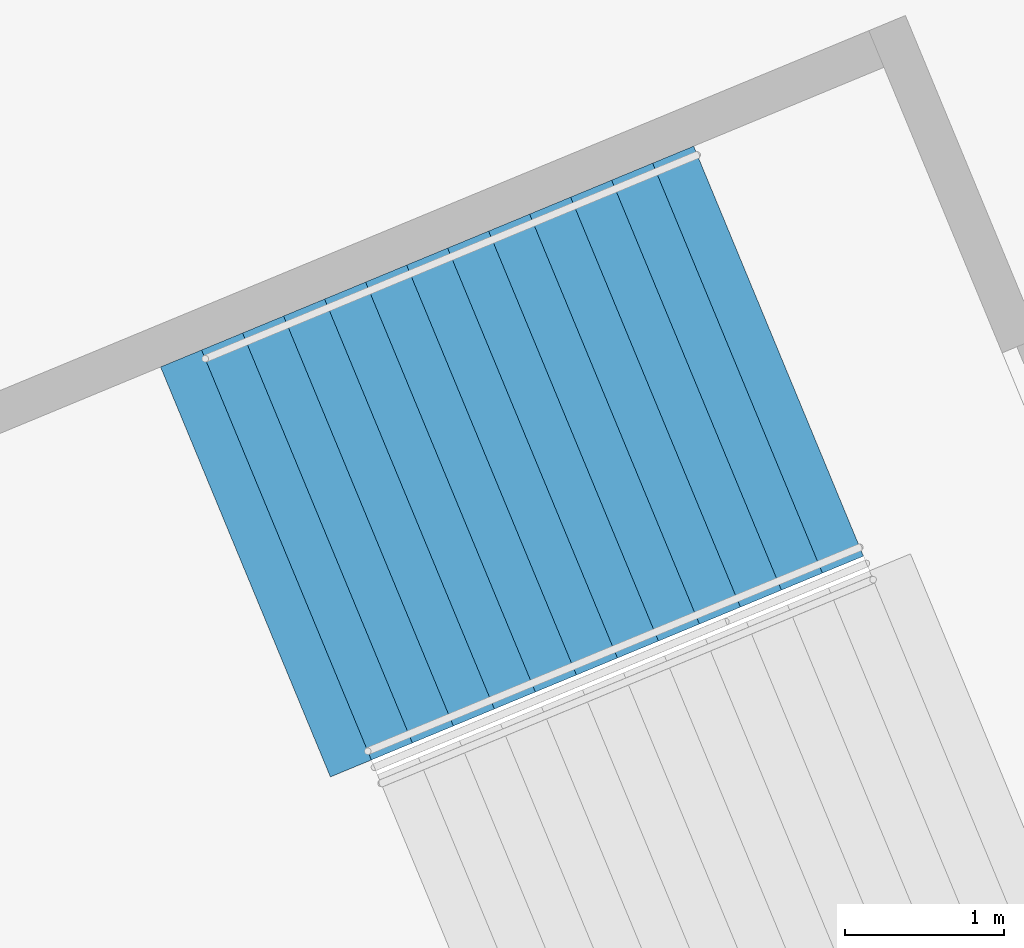
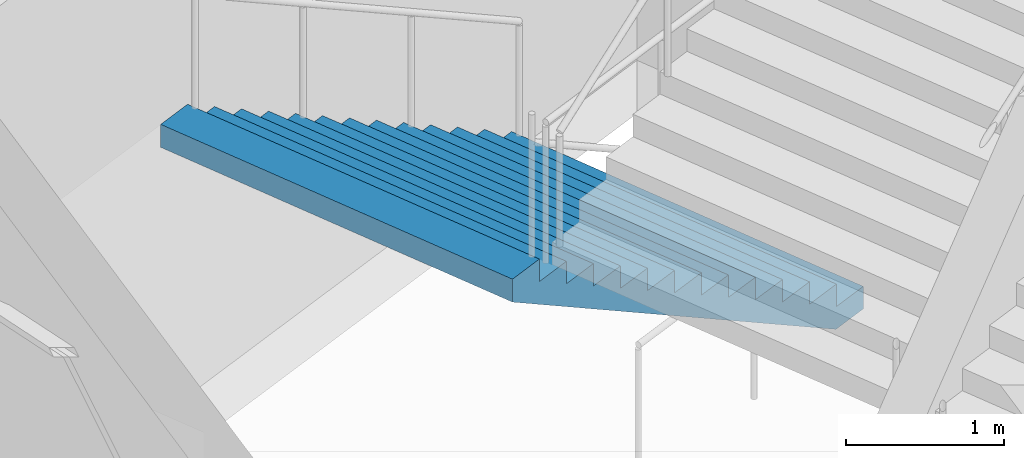
# One storey, part 137 of 249: 1 stair flight, 1 element without a shape of its own.
"""IFC4 building model written with IfcOpenShell, lengths in metres."""

import ifcopenshell
import ifcopenshell.guid

model = None  # the IFC model being written
_history = None  # IfcOwnerHistory: only IFC2X3 demands one
_inside = {}  # id of a spatial element -> (the spatial element, [elements in it])
_under = {}  # id of a project, library or spatial element -> (it, [spatial elements below it])
_declared = {}  # id of a project -> (the project, [libraries it declares])
_typed = {}  # id of a type object -> (the type object, [elements of that type])
_made_of = {}  # id of a material, layer set ... -> (it, [elements and type objects made of it])


def new_model(schema):
    """Start an empty IFC model of exactly this schema.

    Asked for "IFC4X3", IfcOpenShell would pick the latest addendum, in which some entities
    have other attributes; the version numbers below select the first issue.
    IFC2X3 requires an IfcOwnerHistory on every rooted entity: one is made here for all.
    """
    global model, _history
    if schema == "IFC4X3":
        model = ifcopenshell.file(schema_version=(4, 3, 0, 0))
    else:
        model = ifcopenshell.file(schema=schema)
    _inside.clear()
    _under.clear()
    _declared.clear()
    _typed.clear()
    _made_of.clear()
    _history = None
    if model.schema == "IFC2X3":
        org = make("IfcOrganization", Name="unknown")
        user = make(
            "IfcPersonAndOrganization",
            ThePerson=make("IfcPerson", FamilyName="unknown"),
            TheOrganization=org,
        )
        app = make(
            "IfcApplication",
            ApplicationDeveloper=org,
            Version="unknown",
            ApplicationFullName="unknown",
            ApplicationIdentifier="unknown",
        )
        _history = make(
            "IfcOwnerHistory",
            OwningUser=user,
            OwningApplication=app,
            ChangeAction="ADDED",
            CreationDate=0,
        )
    return model


def make(cls, **values):
    """One entity of the class cls with the attributes given. An attribute that is None is left unset."""
    return model.create_entity(
        cls, **{name: value for name, value in values.items() if value is not None}
    )


def rooted(cls, **values):
    """An entity with a GlobalId (a new one), such as an element, a storey or a relation."""
    return make(cls, GlobalId=ifcopenshell.guid.new(), OwnerHistory=_history, **values)


def si_unit(unit_type, name, prefix=None):
    """IfcSIUnit, for example si_unit("LENGTHUNIT", "METRE", prefix="MILLI")."""
    return make("IfcSIUnit", UnitType=unit_type, Prefix=prefix, Name=name)


def assignment(units):
    """IfcUnitAssignment: the units of a project."""
    return None if units is None else make("IfcUnitAssignment", Units=units)


def point(xyz):
    """IfcCartesianPoint."""
    return None if xyz is None else make("IfcCartesianPoint", Coordinates=xyz)


def direction(xyz):
    """IfcDirection."""
    return None if xyz is None else make("IfcDirection", DirectionRatios=xyz)


def frame(location, z_axis=None, x_axis=None):
    """IfcAxis2Placement3D, a coordinate frame: its origin and axes. An axis left out is left unset."""
    return make(
        "IfcAxis2Placement3D",
        Location=point(location),
        Axis=direction(z_axis),
        RefDirection=direction(x_axis),
    )


def origin():
    """The frame at (0, 0, 0) with its axes left unset."""
    return frame((0.0, 0.0, 0.0))


def place(relative_to, where):
    """IfcLocalPlacement: puts the frame where relative to a parent placement (None: the world)."""
    return make(
        "IfcLocalPlacement", PlacementRelTo=relative_to, RelativePlacement=where
    )


def context(
    kind, dimensions, precision=None, world=None, true_north=None, identifier=None
):
    """IfcGeometricRepresentationContext, for example the 3D "Model" context."""
    return make(
        "IfcGeometricRepresentationContext",
        ContextIdentifier=identifier,
        ContextType=kind,
        CoordinateSpaceDimension=dimensions,
        Precision=precision,
        WorldCoordinateSystem=world,
        TrueNorth=true_north,
    )


def subcontext(parent, identifier, kind, view, scale=None):
    """IfcGeometricRepresentationSubContext, for example "Body" below "Model"."""
    return make(
        "IfcGeometricRepresentationSubContext",
        ContextIdentifier=identifier,
        ContextType=kind,
        ParentContext=parent,
        TargetScale=scale,
        TargetView=view,
    )


def project(units=None, contexts=None):
    """IfcProject with its units and contexts."""
    return rooted(
        "IfcProject",
        Name="project",
        RepresentationContexts=contexts,
        UnitsInContext=assignment(units),
    )


def spatial(cls, under=None, at=None, **own):
    """A site, building, storey or space (cls), placed at a placement, below another one or the project."""
    s = rooted(cls, ObjectPlacement=at, **own)
    if under is not None:
        _under.setdefault(under.id(), (under, []))[1].append(s)
    return s


def faces_of(points, faces, orient=None, outer=None):
    """IfcFace entities. A face is a list of loops; a loop is a list of indices into points, from 0.

    orient and outer hold one flag for each loop. By default every Orientation is true, the
    first loop of a face is its IfcFaceOuterBound and the others are IfcFaceBound.
    """
    made = []
    for i, loops in enumerate(faces):
        bounds = []
        for j, loop in enumerate(loops):
            is_outer = j == 0 if outer is None else outer[i][j]
            bounds.append(
                make(
                    "IfcFaceOuterBound" if is_outer else "IfcFaceBound",
                    Bound=make("IfcPolyLoop", Polygon=[points[k] for k in loop]),
                    Orientation=True if orient is None else orient[i][j],
                )
            )
        made.append(make("IfcFace", Bounds=bounds))
    return made


def faceted_brep(points, faces, orient=None, outer=None, voids=None):
    """IfcFacetedBrep: a solid bounded by flat faces; with voids (closed shells), ...WithVoids."""
    shared = [point(p) for p in points]
    hull = make("IfcClosedShell", CfsFaces=faces_of(shared, faces, orient, outer))
    if voids is None:
        return make("IfcFacetedBrep", Outer=hull)
    return make(
        "IfcFacetedBrepWithVoids",
        Outer=hull,
        Voids=[
            make(cls, CfsFaces=faces_of(shared, fs, o, b)) for cls, fs, o, b in voids
        ],
    )


def shape(context_of_items, identifier, shape_type, items):
    """IfcShapeRepresentation: the items that make up one representation, for example the "Body"."""
    return make(
        "IfcShapeRepresentation",
        ContextOfItems=context_of_items,
        RepresentationIdentifier=identifier,
        RepresentationType=shape_type,
        Items=items,
    )


def material(Name=None, Category=None):
    """IfcMaterial."""
    return make("IfcMaterial", Name=Name, Category=Category)


def made_of(thing, what):
    """Note that an element or type object is made of a material, layer set ...; save() writes the relation."""
    if what is not None:
        _made_of.setdefault(what.id(), (what, []))[1].append(thing)
    return thing


def type_object(cls, material=None, **own):
    """A type object (cls), such as IfcWallType, which elements share."""
    return made_of(rooted(cls, **own), material)


def element(
    cls,
    number,
    at=None,
    inside=None,
    cuts=None,
    type_object=None,
    material=None,
    context=None,
    identifier="Body",
    shape_type=None,
    held_by="IfcProductDefinitionShape",
    body=None,
    shapes=None,
    **own,
):
    """One element of the class cls, such as IfcWall. Its Tag is "e" and its number.

    at: its placement. inside: the storey or other place that contains it. cuts: it is an
    opening in that element (IfcRelVoidsElement). A single representation is given by context,
    identifier, shape_type and body (its items); several are given by shapes. held_by: the class
    of the entity that holds the representations. save() writes the other relations.
    """
    e = rooted(cls, Tag="e%d" % number, ObjectPlacement=at, **own)
    if body is not None:
        shapes = [shape(context, identifier, shape_type, body)]
    if shapes is not None:
        e.Representation = make(held_by, Representations=shapes)
    if inside is not None:
        _inside.setdefault(inside.id(), (inside, []))[1].append(e)
    if cuts is not None:
        rooted(
            "IfcRelVoidsElement", RelatingBuildingElement=cuts, RelatedOpeningElement=e
        )
    if type_object is not None:
        _typed.setdefault(type_object.id(), (type_object, []))[1].append(e)
    return made_of(e, material)


def aggregate(whole, parts):
    """IfcRelAggregates: a whole, such as a stair, and the parts it consists of."""
    return rooted("IfcRelAggregates", RelatingObject=whole, RelatedObjects=parts)


def save(model, path):
    """Write the relations noted so far, then the file.

    IfcRelAggregates (storeys below a building ...), IfcRelContainedInSpatialStructure (elements
    in a storey), IfcRelDefinesByType, IfcRelAssociatesMaterial and IfcRelDeclares: one each for
    every whole, place, type object, material and project.
    """
    for whole, parts in _under.values():
        aggregate(whole, parts)
    for where, things in _inside.values():
        rooted(
            "IfcRelContainedInSpatialStructure",
            RelatedElements=things,
            RelatingStructure=where,
        )
    for kind, things in _typed.values():
        rooted("IfcRelDefinesByType", RelatedObjects=things, RelatingType=kind)
    for what, things in _made_of.values():
        rooted("IfcRelAssociatesMaterial", RelatedObjects=things, RelatingMaterial=what)
    for by, libraries in _declared.values():
        rooted("IfcRelDeclares", RelatingContext=by, RelatedDefinitions=libraries)
    model.write(path)


model = new_model("IFC4")

# Units and contexts
model_context = context("Model", 3, precision=1e-05, world=origin(), true_north=direction((0.0, 1.0)))
body_context = subcontext(model_context, "Body", "Model", "MODEL_VIEW")
ifc_project = project(units=[si_unit("LENGTHUNIT", "METRE"), si_unit("AREAUNIT", "SQUARE_METRE"), si_unit("VOLUMEUNIT", "CUBIC_METRE"), si_unit("PLANEANGLEUNIT", "RADIAN"), si_unit("MASSUNIT", "GRAM", prefix="KILO")], contexts=[model_context])

# Site, building, storey
site_placement = place(None, origin())
site = spatial("IfcSite", under=ifc_project, at=site_placement, CompositionType="ELEMENT")
building_placement = place(site_placement, origin())
building = spatial("IfcBuilding", under=site, at=building_placement, Name="Ogive Plaza Stadium", CompositionType="ELEMENT")
storey_placement = place(building_placement, frame((0.0, 0.0, 13.5)))
storey = spatial("IfcBuildingStorey", under=building, at=storey_placement, Name="L03", CompositionType="ELEMENT", Elevation=13.5)

# Stair, stair flight
ifc_material_1 = material(Name="Concrete C40/50", Category="concrete")
stair_type = type_object("IfcStairType", Name="Exit stair", PredefinedType="STRAIGHT_RUN_STAIR", material=ifc_material_1)
stair_placement = place(storey_placement, origin())
stair = element("IfcStair", 1, at=stair_placement, inside=storey, type_object=stair_type, Name="Exit stair ST20A L03 to L04", PredefinedType="STRAIGHT_RUN_STAIR")
ifc_material_2 = material(Name="Concrete C40/50", Category="concrete")
stair_flight_type = type_object("IfcStairFlightType", Name="Exit stair flight", PredefinedType="STRAIGHT", material=ifc_material_2)
stair_flight_placement = place(storey_placement, frame((-74.819580078125, -64.618408203125, 0.0), z_axis=(0.0, 0.0, 1.0), x_axis=(-0.923879532511, -0.382683432365, 0.0)))
stair_flight = element("IfcStairFlight", 2, at=stair_flight_placement, type_object=stair_flight_type, Name="ST20A flight 1", NumberOfRisers=13, NumberOfTreads=12, PredefinedType="STRAIGHT", RiserHeight=0.173076923, TreadLength=0.28, context=body_context, shape_type="Brep", body=[
    faceted_brep([(0.28515625, -1.39990234375, 0.0), (3.639892578125, -1.39990234375, 2.07373046875), (3.639892578125, -1.39990234375, 2.25), (3.360107421875, -1.39990234375, 2.25), (3.360107421875, -1.39990234375, 2.076904296875), (3.080078125, -1.39990234375, 2.076904296875), (3.080078125, -1.39990234375, 1.90380859375), (2.800048828125, -1.39990234375, 1.90380859375), (2.800048828125, -1.39990234375, 1.730712890625), (2.52001953125, -1.39990234375, 1.730712890625), (2.52001953125, -1.39990234375, 1.5576171875), (2.239990234375, -1.39990234375, 1.5576171875), (2.239990234375, -1.39990234375, 1.384521484375), (1.9599609375, -1.39990234375, 1.384521484375), (1.9599609375, -1.39990234375, 1.21142578125), (1.679931640625, -1.39990234375, 1.21142578125), (1.679931640625, -1.39990234375, 1.03857421875), (1.39990234375, -1.39990234375, 1.03857421875), (1.39990234375, -1.39990234375, 0.865478515625), (1.1201171875, -1.39990234375, 0.865478515625), (1.1201171875, -1.39990234375, 0.6923828125), (0.840087890625, -1.39990234375, 0.6923828125), (0.840087890625, -1.39990234375, 0.519287109375), (0.56005859375, -1.39990234375, 0.519287109375), (0.56005859375, -1.39990234375, 0.34619140625), (0.280029296875, -1.39990234375, 0.34619140625), (0.280029296875, -1.39990234375, 0.173095703125), (0.0, -1.39990234375, 0.173095703125), (0.0, -1.39990234375, 0.0), (0.0, 1.39990234375, 0.0), (0.0, 1.39990234375, 0.173095703125), (0.280029296875, 1.39990234375, 0.173095703125), (0.280029296875, 1.39990234375, 0.34619140625), (0.56005859375, 1.39990234375, 0.34619140625), (0.56005859375, 1.39990234375, 0.519287109375), (0.840087890625, 1.39990234375, 0.519287109375), (0.840087890625, 1.39990234375, 0.6923828125), (1.1201171875, 1.39990234375, 0.6923828125), (1.1201171875, 1.39990234375, 0.865478515625), (1.39990234375, 1.39990234375, 0.865478515625), (1.39990234375, 1.39990234375, 1.03857421875), (1.679931640625, 1.39990234375, 1.03857421875), (1.679931640625, 1.39990234375, 1.21142578125), (1.9599609375, 1.39990234375, 1.21142578125), (1.9599609375, 1.39990234375, 1.384521484375), (2.239990234375, 1.39990234375, 1.384521484375), (2.239990234375, 1.39990234375, 1.5576171875), (2.52001953125, 1.39990234375, 1.5576171875), (2.52001953125, 1.39990234375, 1.730712890625), (2.800048828125, 1.39990234375, 1.730712890625), (2.800048828125, 1.39990234375, 1.90380859375), (3.080078125, 1.39990234375, 1.90380859375), (3.080078125, 1.39990234375, 2.076904296875), (3.360107421875, 1.39990234375, 2.076904296875), (3.360107421875, 1.39990234375, 2.25), (3.639892578125, 1.39990234375, 2.25), (3.639892578125, 1.39990234375, 2.07373046875), (0.28515625, 1.39990234375, 0.0), (0.28515625, -1.0888671875, 0.0), (3.639892578125, -1.0888671875, 2.07373046875), (0.28515625, -0.77783203125, 0.0), (3.639892578125, -0.77783203125, 2.07373046875), (0.28515625, -0.466796875, 0.0), (3.639892578125, -0.466796875, 2.07373046875), (0.28515625, -0.155517578125, 0.0), (3.639892578125, -0.155517578125, 2.07373046875), (0.28515625, 0.155517578125, 0.0), (3.639892578125, 0.155517578125, 2.07373046875), (0.28515625, 0.466796875, 0.0), (3.639892578125, 0.466796875, 2.07373046875), (0.28515625, 0.77783203125, 0.0), (3.639892578125, 0.77783203125, 2.07373046875), (0.28515625, 1.0888671875, 0.0), (3.639892578125, 1.0888671875, 2.07373046875), (3.639892578125, -1.0888671875, 2.25), (3.639892578125, -0.77783203125, 2.25), (3.639892578125, -0.466796875, 2.25), (3.639892578125, -0.155517578125, 2.25), (3.639892578125, 0.155517578125, 2.25), (3.639892578125, 0.466796875, 2.25), (3.639892578125, 0.77783203125, 2.25), (3.639892578125, 1.0888671875, 2.25), (3.360107421875, -1.0888671875, 2.25), (3.360107421875, -0.77783203125, 2.25), (3.360107421875, -0.466796875, 2.25), (3.360107421875, -0.155517578125, 2.25), (3.360107421875, 0.155517578125, 2.25), (3.360107421875, 0.466796875, 2.25), (3.360107421875, 0.77783203125, 2.25), (3.360107421875, 1.0888671875, 2.25), (3.360107421875, -1.0888671875, 2.076904296875), (3.360107421875, -0.77783203125, 2.076904296875), (3.360107421875, -0.466796875, 2.076904296875), (3.360107421875, -0.155517578125, 2.076904296875), (3.360107421875, 0.155517578125, 2.076904296875), (3.360107421875, 0.466796875, 2.076904296875), (3.360107421875, 0.77783203125, 2.076904296875), (3.360107421875, 1.0888671875, 2.076904296875), (3.080078125, -1.0888671875, 2.076904296875), (3.080078125, -0.77783203125, 2.076904296875), (3.080078125, -0.466796875, 2.076904296875), (3.080078125, -0.155517578125, 2.076904296875), (3.080078125, 0.155517578125, 2.076904296875), (3.080078125, 0.466796875, 2.076904296875), (3.080078125, 0.77783203125, 2.076904296875), (3.080078125, 1.0888671875, 2.076904296875), (3.080078125, -1.0888671875, 1.90380859375), (3.080078125, -0.77783203125, 1.90380859375), (3.080078125, -0.466796875, 1.90380859375), (3.080078125, -0.155517578125, 1.90380859375), (3.080078125, 0.155517578125, 1.90380859375), (3.080078125, 0.466796875, 1.90380859375), (3.080078125, 0.77783203125, 1.90380859375), (3.080078125, 1.0888671875, 1.90380859375), (2.800048828125, -1.0888671875, 1.90380859375), (2.800048828125, -0.77783203125, 1.90380859375), (2.800048828125, -0.466796875, 1.90380859375), (2.800048828125, -0.155517578125, 1.90380859375), (2.800048828125, 0.155517578125, 1.90380859375), (2.800048828125, 0.466796875, 1.90380859375), (2.800048828125, 0.77783203125, 1.90380859375), (2.800048828125, 1.0888671875, 1.90380859375), (2.800048828125, -1.0888671875, 1.730712890625), (2.800048828125, -0.77783203125, 1.730712890625), (2.800048828125, -0.466796875, 1.730712890625), (2.800048828125, -0.155517578125, 1.730712890625), (2.800048828125, 0.155517578125, 1.730712890625), (2.800048828125, 0.466796875, 1.730712890625), (2.800048828125, 0.77783203125, 1.730712890625), (2.800048828125, 1.0888671875, 1.730712890625), (2.52001953125, -1.0888671875, 1.730712890625), (2.52001953125, -0.77783203125, 1.730712890625), (2.52001953125, -0.466796875, 1.730712890625), (2.52001953125, -0.155517578125, 1.730712890625), (2.52001953125, 0.155517578125, 1.730712890625), (2.52001953125, 0.466796875, 1.730712890625), (2.52001953125, 0.77783203125, 1.730712890625), (2.52001953125, 1.0888671875, 1.730712890625), (2.52001953125, -1.0888671875, 1.5576171875), (2.52001953125, -0.77783203125, 1.5576171875), (2.52001953125, -0.466796875, 1.5576171875), (2.52001953125, -0.155517578125, 1.5576171875), (2.52001953125, 0.155517578125, 1.5576171875), (2.52001953125, 0.466796875, 1.5576171875), (2.52001953125, 0.77783203125, 1.5576171875), (2.52001953125, 1.0888671875, 1.5576171875), (2.239990234375, -1.0888671875, 1.5576171875), (2.239990234375, -0.77783203125, 1.5576171875), (2.239990234375, -0.466796875, 1.5576171875), (2.239990234375, -0.155517578125, 1.5576171875), (2.239990234375, 0.155517578125, 1.5576171875), (2.239990234375, 0.466796875, 1.5576171875), (2.239990234375, 0.77783203125, 1.5576171875), (2.239990234375, 1.0888671875, 1.5576171875), (2.239990234375, -1.0888671875, 1.384521484375), (2.239990234375, -0.77783203125, 1.384521484375), (2.239990234375, -0.466796875, 1.384521484375), (2.239990234375, -0.155517578125, 1.384521484375), (2.239990234375, 0.155517578125, 1.384521484375), (2.239990234375, 0.466796875, 1.384521484375), (2.239990234375, 0.77783203125, 1.384521484375), (2.239990234375, 1.0888671875, 1.384521484375), (1.9599609375, -1.0888671875, 1.384521484375), (1.9599609375, -0.77783203125, 1.384521484375), (1.9599609375, -0.466796875, 1.384521484375), (1.9599609375, -0.155517578125, 1.384521484375), (1.9599609375, 0.155517578125, 1.384521484375), (1.9599609375, 0.466796875, 1.384521484375), (1.9599609375, 0.77783203125, 1.384521484375), (1.9599609375, 1.0888671875, 1.384521484375), (1.9599609375, -1.0888671875, 1.21142578125), (1.9599609375, -0.77783203125, 1.21142578125), (1.9599609375, -0.466796875, 1.21142578125), (1.9599609375, -0.155517578125, 1.21142578125), (1.9599609375, 0.155517578125, 1.21142578125), (1.9599609375, 0.466796875, 1.21142578125), (1.9599609375, 0.77783203125, 1.21142578125), (1.9599609375, 1.0888671875, 1.21142578125), (1.679931640625, -1.0888671875, 1.21142578125), (1.679931640625, -0.77783203125, 1.21142578125), (1.679931640625, -0.466796875, 1.21142578125), (1.679931640625, -0.155517578125, 1.21142578125), (1.679931640625, 0.155517578125, 1.21142578125), (1.679931640625, 0.466796875, 1.21142578125), (1.679931640625, 0.77783203125, 1.21142578125), (1.679931640625, 1.0888671875, 1.21142578125), (1.679931640625, -1.0888671875, 1.03857421875), (1.679931640625, -0.77783203125, 1.03857421875), (1.679931640625, -0.466796875, 1.03857421875), (1.679931640625, -0.155517578125, 1.03857421875), (1.679931640625, 0.155517578125, 1.03857421875), (1.679931640625, 0.466796875, 1.03857421875), (1.679931640625, 0.77783203125, 1.03857421875), (1.679931640625, 1.0888671875, 1.03857421875), (1.39990234375, -1.0888671875, 1.03857421875), (1.39990234375, -0.77783203125, 1.03857421875), (1.39990234375, -0.466796875, 1.03857421875), (1.39990234375, -0.155517578125, 1.03857421875), (1.39990234375, 0.155517578125, 1.03857421875), (1.39990234375, 0.466796875, 1.03857421875), (1.39990234375, 0.77783203125, 1.03857421875), (1.39990234375, 1.0888671875, 1.03857421875), (1.39990234375, -1.0888671875, 0.865478515625), (1.39990234375, -0.77783203125, 0.865478515625), (1.39990234375, -0.466796875, 0.865478515625), (1.39990234375, -0.155517578125, 0.865478515625), (1.39990234375, 0.155517578125, 0.865478515625), (1.39990234375, 0.466796875, 0.865478515625), (1.39990234375, 0.77783203125, 0.865478515625), (1.39990234375, 1.0888671875, 0.865478515625), (1.1201171875, -1.0888671875, 0.865478515625), (1.1201171875, -0.77783203125, 0.865478515625), (1.1201171875, -0.466796875, 0.865478515625), (1.1201171875, -0.155517578125, 0.865478515625), (1.1201171875, 0.155517578125, 0.865478515625), (1.1201171875, 0.466796875, 0.865478515625), (1.1201171875, 0.77783203125, 0.865478515625), (1.1201171875, 1.0888671875, 0.865478515625), (1.1201171875, -1.0888671875, 0.6923828125), (1.1201171875, -0.77783203125, 0.6923828125), (1.1201171875, -0.466796875, 0.6923828125), (1.1201171875, -0.155517578125, 0.6923828125), (1.1201171875, 0.155517578125, 0.6923828125), (1.1201171875, 0.466796875, 0.6923828125), (1.1201171875, 0.77783203125, 0.6923828125), (1.1201171875, 1.0888671875, 0.6923828125), (0.840087890625, -1.0888671875, 0.6923828125), (0.840087890625, -0.77783203125, 0.6923828125), (0.840087890625, -0.466796875, 0.6923828125), (0.840087890625, -0.155517578125, 0.6923828125), (0.840087890625, 0.155517578125, 0.6923828125), (0.840087890625, 0.466796875, 0.6923828125), (0.840087890625, 0.77783203125, 0.6923828125), (0.840087890625, 1.0888671875, 0.6923828125), (0.840087890625, -1.0888671875, 0.519287109375), (0.840087890625, -0.77783203125, 0.519287109375), (0.840087890625, -0.466796875, 0.519287109375), (0.840087890625, -0.155517578125, 0.519287109375), (0.840087890625, 0.155517578125, 0.519287109375), (0.840087890625, 0.466796875, 0.519287109375), (0.840087890625, 0.77783203125, 0.519287109375), (0.840087890625, 1.0888671875, 0.519287109375), (0.56005859375, -1.0888671875, 0.519287109375), (0.56005859375, -0.77783203125, 0.519287109375), (0.56005859375, -0.466796875, 0.519287109375), (0.56005859375, -0.155517578125, 0.519287109375), (0.56005859375, 0.155517578125, 0.519287109375), (0.56005859375, 0.466796875, 0.519287109375), (0.56005859375, 0.77783203125, 0.519287109375), (0.56005859375, 1.0888671875, 0.519287109375), (0.56005859375, -1.0888671875, 0.34619140625), (0.56005859375, -0.77783203125, 0.34619140625), (0.56005859375, -0.466796875, 0.34619140625), (0.56005859375, -0.155517578125, 0.34619140625), (0.56005859375, 0.155517578125, 0.34619140625), (0.56005859375, 0.466796875, 0.34619140625), (0.56005859375, 0.77783203125, 0.34619140625), (0.56005859375, 1.0888671875, 0.34619140625), (0.280029296875, -1.0888671875, 0.34619140625), (0.280029296875, -0.77783203125, 0.34619140625), (0.280029296875, -0.466796875, 0.34619140625), (0.280029296875, -0.155517578125, 0.34619140625), (0.280029296875, 0.155517578125, 0.34619140625), (0.280029296875, 0.466796875, 0.34619140625), (0.280029296875, 0.77783203125, 0.34619140625), (0.280029296875, 1.0888671875, 0.34619140625), (0.280029296875, -1.0888671875, 0.173095703125), (0.280029296875, -0.77783203125, 0.173095703125), (0.280029296875, -0.466796875, 0.173095703125), (0.280029296875, -0.155517578125, 0.173095703125), (0.280029296875, 0.155517578125, 0.173095703125), (0.280029296875, 0.466796875, 0.173095703125), (0.280029296875, 0.77783203125, 0.173095703125), (0.280029296875, 1.0888671875, 0.173095703125), (0.0, -1.0888671875, 0.173095703125), (0.0, -0.77783203125, 0.173095703125), (0.0, -0.466796875, 0.173095703125), (0.0, -0.155517578125, 0.173095703125), (0.0, 0.155517578125, 0.173095703125), (0.0, 0.466796875, 0.173095703125), (0.0, 0.77783203125, 0.173095703125), (0.0, 1.0888671875, 0.173095703125), (0.0, -1.0888671875, 0.0), (0.0, -0.77783203125, 0.0), (0.0, -0.466796875, 0.0), (0.0, -0.155517578125, 0.0), (0.0, 0.155517578125, 0.0), (0.0, 0.466796875, 0.0), (0.0, 0.77783203125, 0.0), (0.0, 1.0888671875, 0.0)], [[[0, 1, 2, 3, 4, 5, 6, 7, 8, 9, 10, 11, 12, 13, 14, 15, 16, 17, 18, 19, 20, 21, 22, 23, 24, 25, 26, 27, 28]], [[29, 30, 31, 32, 33, 34, 35, 36, 37, 38, 39, 40, 41, 42, 43, 44, 45, 46, 47, 48, 49, 50, 51, 52, 53, 54, 55, 56, 57]], [[0, 58, 59, 1]], [[58, 60, 61, 59]], [[60, 62, 63, 61]], [[62, 64, 65, 63]], [[64, 66, 67, 65]], [[66, 68, 69, 67]], [[68, 70, 71, 69]], [[70, 72, 73, 71]], [[72, 57, 56, 73]], [[1, 59, 74, 2]], [[59, 61, 75, 74]], [[61, 63, 76, 75]], [[63, 65, 77, 76]], [[65, 67, 78, 77]], [[67, 69, 79, 78]], [[69, 71, 80, 79]], [[71, 73, 81, 80]], [[73, 56, 55, 81]], [[2, 74, 82, 3]], [[74, 75, 83, 82]], [[75, 76, 84, 83]], [[76, 77, 85, 84]], [[77, 78, 86, 85]], [[78, 79, 87, 86]], [[79, 80, 88, 87]], [[80, 81, 89, 88]], [[81, 55, 54, 89]], [[3, 82, 90, 4]], [[82, 83, 91, 90]], [[83, 84, 92, 91]], [[84, 85, 93, 92]], [[85, 86, 94, 93]], [[86, 87, 95, 94]], [[87, 88, 96, 95]], [[88, 89, 97, 96]], [[89, 54, 53, 97]], [[4, 90, 98, 5]], [[90, 91, 99, 98]], [[91, 92, 100, 99]], [[92, 93, 101, 100]], [[93, 94, 102, 101]], [[94, 95, 103, 102]], [[95, 96, 104, 103]], [[96, 97, 105, 104]], [[97, 53, 52, 105]], [[5, 98, 106, 6]], [[98, 99, 107, 106]], [[99, 100, 108, 107]], [[100, 101, 109, 108]], [[101, 102, 110, 109]], [[102, 103, 111, 110]], [[103, 104, 112, 111]], [[104, 105, 113, 112]], [[105, 52, 51, 113]], [[6, 106, 114, 7]], [[106, 107, 115, 114]], [[107, 108, 116, 115]], [[108, 109, 117, 116]], [[109, 110, 118, 117]], [[110, 111, 119, 118]], [[111, 112, 120, 119]], [[112, 113, 121, 120]], [[113, 51, 50, 121]], [[7, 114, 122, 8]], [[114, 115, 123, 122]], [[115, 116, 124, 123]], [[116, 117, 125, 124]], [[117, 118, 126, 125]], [[118, 119, 127, 126]], [[119, 120, 128, 127]], [[120, 121, 129, 128]], [[121, 50, 49, 129]], [[8, 122, 130, 9]], [[122, 123, 131, 130]], [[123, 124, 132, 131]], [[124, 125, 133, 132]], [[125, 126, 134, 133]], [[126, 127, 135, 134]], [[127, 128, 136, 135]], [[128, 129, 137, 136]], [[129, 49, 48, 137]], [[9, 130, 138, 10]], [[130, 131, 139, 138]], [[131, 132, 140, 139]], [[132, 133, 141, 140]], [[133, 134, 142, 141]], [[134, 135, 143, 142]], [[135, 136, 144, 143]], [[136, 137, 145, 144]], [[137, 48, 47, 145]], [[10, 138, 146, 11]], [[138, 139, 147, 146]], [[139, 140, 148, 147]], [[140, 141, 149, 148]], [[141, 142, 150, 149]], [[142, 143, 151, 150]], [[143, 144, 152, 151]], [[144, 145, 153, 152]], [[145, 47, 46, 153]], [[11, 146, 154, 12]], [[146, 147, 155, 154]], [[147, 148, 156, 155]], [[148, 149, 157, 156]], [[149, 150, 158, 157]], [[150, 151, 159, 158]], [[151, 152, 160, 159]], [[152, 153, 161, 160]], [[153, 46, 45, 161]], [[12, 154, 162, 13]], [[154, 155, 163, 162]], [[155, 156, 164, 163]], [[156, 157, 165, 164]], [[157, 158, 166, 165]], [[158, 159, 167, 166]], [[159, 160, 168, 167]], [[160, 161, 169, 168]], [[161, 45, 44, 169]], [[13, 162, 170, 14]], [[162, 163, 171, 170]], [[163, 164, 172, 171]], [[164, 165, 173, 172]], [[165, 166, 174, 173]], [[166, 167, 175, 174]], [[167, 168, 176, 175]], [[168, 169, 177, 176]], [[169, 44, 43, 177]], [[14, 170, 178, 15]], [[170, 171, 179, 178]], [[171, 172, 180, 179]], [[172, 173, 181, 180]], [[173, 174, 182, 181]], [[174, 175, 183, 182]], [[175, 176, 184, 183]], [[176, 177, 185, 184]], [[177, 43, 42, 185]], [[15, 178, 186, 16]], [[178, 179, 187, 186]], [[179, 180, 188, 187]], [[180, 181, 189, 188]], [[181, 182, 190, 189]], [[182, 183, 191, 190]], [[183, 184, 192, 191]], [[184, 185, 193, 192]], [[185, 42, 41, 193]], [[16, 186, 194, 17]], [[186, 187, 195, 194]], [[187, 188, 196, 195]], [[188, 189, 197, 196]], [[189, 190, 198, 197]], [[190, 191, 199, 198]], [[191, 192, 200, 199]], [[192, 193, 201, 200]], [[193, 41, 40, 201]], [[17, 194, 202, 18]], [[194, 195, 203, 202]], [[195, 196, 204, 203]], [[196, 197, 205, 204]], [[197, 198, 206, 205]], [[198, 199, 207, 206]], [[199, 200, 208, 207]], [[200, 201, 209, 208]], [[201, 40, 39, 209]], [[18, 202, 210, 19]], [[202, 203, 211, 210]], [[203, 204, 212, 211]], [[204, 205, 213, 212]], [[205, 206, 214, 213]], [[206, 207, 215, 214]], [[207, 208, 216, 215]], [[208, 209, 217, 216]], [[209, 39, 38, 217]], [[19, 210, 218, 20]], [[210, 211, 219, 218]], [[211, 212, 220, 219]], [[212, 213, 221, 220]], [[213, 214, 222, 221]], [[214, 215, 223, 222]], [[215, 216, 224, 223]], [[216, 217, 225, 224]], [[217, 38, 37, 225]], [[20, 218, 226, 21]], [[218, 219, 227, 226]], [[219, 220, 228, 227]], [[220, 221, 229, 228]], [[221, 222, 230, 229]], [[222, 223, 231, 230]], [[223, 224, 232, 231]], [[224, 225, 233, 232]], [[225, 37, 36, 233]], [[21, 226, 234, 22]], [[226, 227, 235, 234]], [[227, 228, 236, 235]], [[228, 229, 237, 236]], [[229, 230, 238, 237]], [[230, 231, 239, 238]], [[231, 232, 240, 239]], [[232, 233, 241, 240]], [[233, 36, 35, 241]], [[22, 234, 242, 23]], [[234, 235, 243, 242]], [[235, 236, 244, 243]], [[236, 237, 245, 244]], [[237, 238, 246, 245]], [[238, 239, 247, 246]], [[239, 240, 248, 247]], [[240, 241, 249, 248]], [[241, 35, 34, 249]], [[23, 242, 250, 24]], [[242, 243, 251, 250]], [[243, 244, 252, 251]], [[244, 245, 253, 252]], [[245, 246, 254, 253]], [[246, 247, 255, 254]], [[247, 248, 256, 255]], [[248, 249, 257, 256]], [[249, 34, 33, 257]], [[24, 250, 258, 25]], [[250, 251, 259, 258]], [[251, 252, 260, 259]], [[252, 253, 261, 260]], [[253, 254, 262, 261]], [[254, 255, 263, 262]], [[255, 256, 264, 263]], [[256, 257, 265, 264]], [[257, 33, 32, 265]], [[25, 258, 266, 26]], [[258, 259, 267, 266]], [[259, 260, 268, 267]], [[260, 261, 269, 268]], [[261, 262, 270, 269]], [[262, 263, 271, 270]], [[263, 264, 272, 271]], [[264, 265, 273, 272]], [[265, 32, 31, 273]], [[26, 266, 274, 27]], [[266, 267, 275, 274]], [[267, 268, 276, 275]], [[268, 269, 277, 276]], [[269, 270, 278, 277]], [[270, 271, 279, 278]], [[271, 272, 280, 279]], [[272, 273, 281, 280]], [[273, 31, 30, 281]], [[27, 274, 282, 28]], [[274, 275, 283, 282]], [[275, 276, 284, 283]], [[276, 277, 285, 284]], [[277, 278, 286, 285]], [[278, 279, 287, 286]], [[279, 280, 288, 287]], [[280, 281, 289, 288]], [[281, 30, 29, 289]], [[28, 282, 58, 0]], [[282, 283, 60, 58]], [[283, 284, 62, 60]], [[284, 285, 64, 62]], [[285, 286, 66, 64]], [[286, 287, 68, 66]], [[287, 288, 70, 68]], [[288, 289, 72, 70]], [[289, 29, 57, 72]]]),
])
aggregate(stair, [stair_flight])

save(model, "model.ifc")
